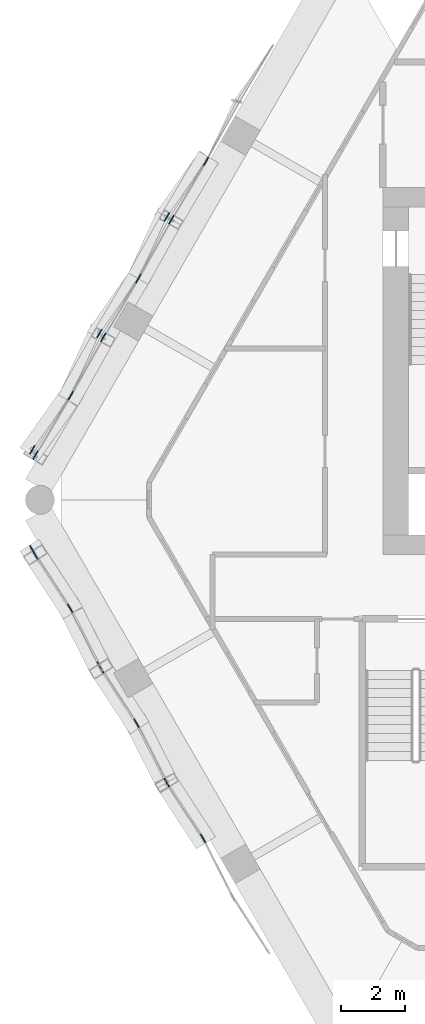
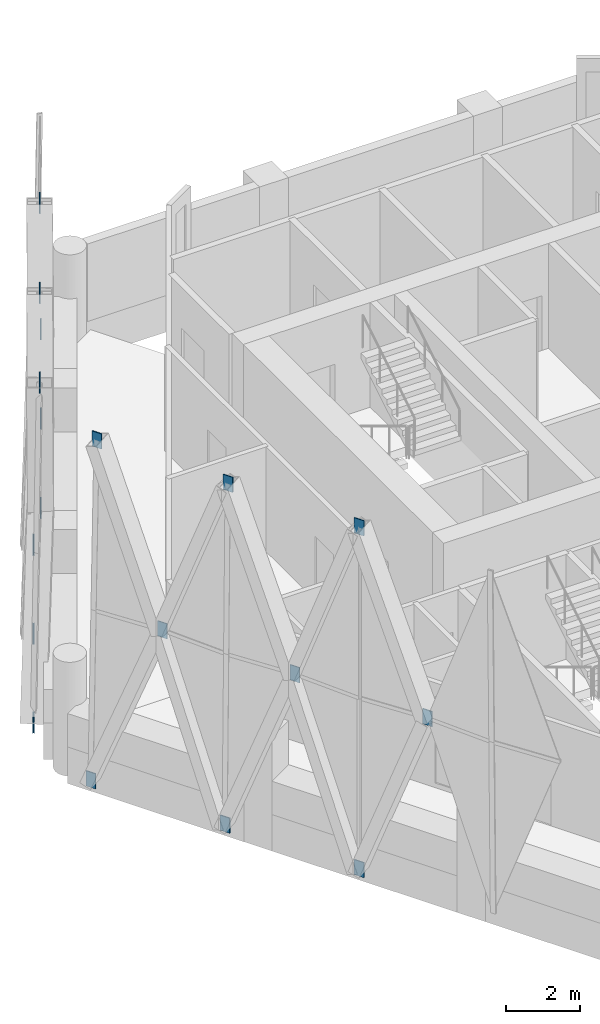
# One storey, part 16 of 18: 18 discrete accessories.
"""IFC4 building model written with IfcOpenShell, lengths in metres."""

from ifc_helpers import new_model, si_unit, direction, frame, origin, origin_2d, place, context, subcontext, project, spatial, rectangle, extrude, material, layer, layer_set, type_object, element, save


model = new_model("IFC4")

# Units and contexts
model_context = context("Model", 3, precision=1e-05, world=origin(), true_north=direction((0.0, 1.0)))
body_context = subcontext(model_context, "Body", "Model", "MODEL_VIEW")
ifc_project = project(units=[si_unit("LENGTHUNIT", "METRE"), si_unit("AREAUNIT", "SQUARE_METRE"), si_unit("VOLUMEUNIT", "CUBIC_METRE"), si_unit("PLANEANGLEUNIT", "RADIAN"), si_unit("MASSUNIT", "GRAM", prefix="KILO")], contexts=[model_context])

# Site, building, storey
site_placement = place(None, origin())
site = spatial("IfcSite", under=ifc_project, at=site_placement, CompositionType="ELEMENT")
building_placement = place(site_placement, origin())
building = spatial("IfcBuilding", under=site, at=building_placement, Name="Ostrander Bayou Hotel Tower", CompositionType="ELEMENT")
storey_placement = place(building_placement, frame((0.0, 0.0, 214.5)))
storey = spatial("IfcBuildingStorey", under=building, at=storey_placement, Name="L53", CompositionType="ELEMENT", Elevation=214.5)

# Discrete accessories
ifc_material = material(Name="Steel ASTM A572 Gr 50", Category="steel")
ifc_layer = layer(ifc_material, 0.030029296875)
ifc_layer_set = layer_set([ifc_layer], Name="GP1 gusset plate 30 mm")
discrete_accessory_type = type_object("IfcDiscreteAccessoryType", Name="GP1 gusset plate 30 mm", PredefinedType="BRACKET", material=ifc_layer_set)
for number, where, z_axis, x_axis, name in (
    (1, (-14.00048828125, 10.508056640625, 4.77490234375), (0.0, 0.0, 1.0), (-0.5, -0.866025403784, 0.0), "GP1 gusset plate lat 317"),
    (2, (-15.216064453125, 8.784912109375, -0.85009765625), (0.0, 0.0, 1.0), (-0.5, -0.866025403784, 0.0), "GP1 gusset plate lat 318"),
    (3, (-15.07421875, 8.703125, 10.39990234375), (0.0, 0.0, 1.0), (-0.5, -0.866025403784, 0.0), "GP1 gusset plate lat 319"),
    (4, (-16.100341796875, 6.870849609375, 4.77490234375), (0.0, 0.0, 1.0), (-0.5, -0.866025403784, 0.0), "GP1 gusset plate lat 320"),
    (5, (-17.30419921875, 5.168212890625, -0.85009765625), (0.0, 0.0, 1.0), (-0.5, -0.866025403784, 0.0), "GP1 gusset plate lat 321"),
    (6, (-17.18603515625, 5.04541015625, 10.39990234375), (0.0, 0.0, 1.0), (-0.5, -0.866025403784, 0.0), "GP1 gusset plate lat 322"),
    (7, (-18.2001953125, 3.233642578125, 4.77490234375), (0.0, 0.0, 1.0), (-0.5, -0.866025403784, 0.0), "GP1 gusset plate lat 323"),
    (8, (-19.392333984375, 1.551513671875, -0.85009765625), (0.0, 0.0, 1.0), (-0.5, -0.866025403784, 0.0), "GP1 gusset plate lat 324"),
    (9, (-19.2978515625, 1.387939453125, 10.39990234375), (0.0, 0.0, 1.0), (-0.5, -0.866025403784, 0.0), "GP1 gusset plate lat 325"),
    (10, (-18.218017578125, -3.366455078125, 4.77490234375), (0.0, 0.0, 1.0), (0.5, -0.866025403784, 0.0), "GP1 gusset plate lat 326"),
    (11, (-19.392333984375, -1.551513671875, -0.85009765625), (0.0, 0.0, 1.0), (0.5, -0.866025403784, 0.0), "GP1 gusset plate lat 327"),
    (12, (-19.2978515625, -1.715087890625, 10.39990234375), (0.0, 0.0, 1.0), (0.5, -0.866025403784, 0.0), "GP1 gusset plate lat 328"),
    (13, (-17.30419921875, -5.168212890625, -0.85009765625), (0.0, 0.0, 1.0), (0.5, -0.866025403784, 0.0), "GP1 gusset plate lat 329"),
    (14, (-17.257080078125, -5.25, 10.39990234375), (0.0, 0.0, 1.0), (0.5, -0.866025403784, 0.0), "GP1 gusset plate lat 330"),
    (15, (-16.153564453125, -6.9423828125, 4.77490234375), (0.0, 0.0, 1.0), (0.5, -0.866025403784, 0.0), "GP1 gusset plate lat 331"),
    (16, (-15.216064453125, -8.784912109375, -0.85009765625), (0.0, 0.0, 1.0), (0.5, -0.866025403784, 0.0), "GP1 gusset plate lat 332"),
    (17, (-15.216064453125, -8.784912109375, 10.39990234375), (0.0, 0.0, 1.0), (0.5, -0.866025403784, 0.0), "GP1 gusset plate lat 333"),
    (18, (-14.089111328125, -10.518310546875, 4.77490234375), (0.0, 0.0, 1.0), (0.5, -0.866025403784, 0.0), "GP1 gusset plate lat 334"),
):
    element("IfcDiscreteAccessory", number, at=place(storey_placement, frame(where, z_axis=z_axis, x_axis=x_axis)), inside=storey, type_object=discrete_accessory_type, Name=name, PredefinedType="BRACKET", context=body_context, shape_type="SweptSolid", body=[
        extrude(rectangle(XDim=0.300048828125, YDim=0.030029296875, at=origin_2d()), origin(), (0.0, 0.0, 1.0), 0.5),
    ])

save(model, "model.ifc")
